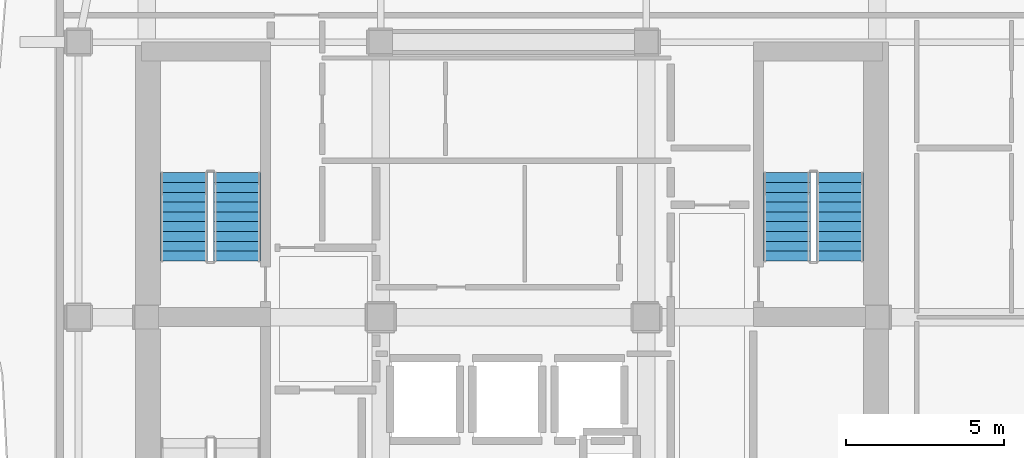
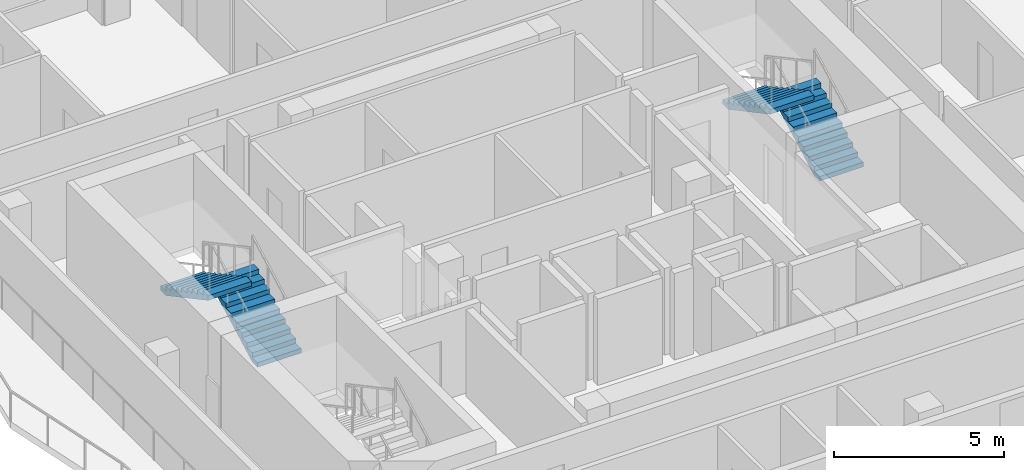
# One storey, part 6 of 9: 4 stair flights, 2 elements without a shape of their own.
"""IFC4 building model written with IfcOpenShell, lengths in metres."""

from ifc_helpers import new_model, si_unit, direction, frame, origin, place, context, subcontext, project, spatial, polyline, outline, extrude, material, type_object, element, aggregate, save


model = new_model("IFC4")

# Units and contexts
model_context = context("Model", 3, precision=1e-05, world=origin(), true_north=direction((0.0, 1.0)))
body_context = subcontext(model_context, "Body", "Model", "MODEL_VIEW")
ifc_project = project(units=[si_unit("LENGTHUNIT", "METRE"), si_unit("AREAUNIT", "SQUARE_METRE"), si_unit("VOLUMEUNIT", "CUBIC_METRE"), si_unit("PLANEANGLEUNIT", "RADIAN"), si_unit("MASSUNIT", "GRAM", prefix="KILO")], contexts=[model_context])

# Site, building, storey
site_placement = place(None, origin())
site = spatial("IfcSite", under=ifc_project, at=site_placement, CompositionType="ELEMENT")
building_placement = place(site_placement, origin())
building = spatial("IfcBuilding", under=site, at=building_placement, Name="Solanera Arch Residences", CompositionType="ELEMENT")
storey_placement = place(building_placement, frame((0.0, 0.0, 241.239990234375)))
storey = spatial("IfcBuildingStorey", under=building, at=storey_placement, Name="L70", CompositionType="ELEMENT", Elevation=241.239990234375)

# Stair, stair flights
ifc_material_1 = material(Name="Concrete C40/50 (f'c = 45 MPa)", Category="concrete")
stair_type = type_object("IfcStairType", Name="Tower Dogleg Exit Stair 1480", PredefinedType="HALF_TURN_STAIR", material=ifc_material_1)
stair_1_placement = place(storey_placement, origin())
stair_1 = element("IfcStair", 1, at=stair_1_placement, inside=storey, type_object=stair_type, Name="L70 Tower Core Exit Stair 1", PredefinedType="HALF_TURN_STAIR")
ifc_material_2 = material(Name="Concrete C40/50 (f'c = 45 MPa)", Category="concrete")
stair_flight_type = type_object("IfcStairFlightType", Name="Tower Precast Stair Flight 1480", PredefinedType="STRAIGHT", material=ifc_material_2)
stair_flight_1_placement = place(storey_placement, frame((16.260009765625, 32.47998046875, 0.0), z_axis=(0.0, 0.0, 1.0), x_axis=(0.0, 1.0, 0.0)))
stair_flight_1 = element("IfcStairFlight", 2, at=stair_flight_1_placement, type_object=stair_flight_type, Name="ST-T1 flight 1", NumberOfRisers=10, NumberOfTreads=9, PredefinedType="STRAIGHT", RiserHeight=0.166, TreadLength=0.31, context=body_context, shape_type="SweptSolid", body=[
    extrude(outline(polyline([(0.0, 0.0), (0.0, 0.166015625), (0.31005859375, 0.166015625), (0.31005859375, 0.33203125), (0.6201171875, 0.33203125), (0.6201171875, 0.498046875), (0.929931640625, 0.498046875), (0.929931640625, 0.6640625), (1.239990234375, 0.6640625), (1.239990234375, 0.830078125), (1.550048828125, 0.830078125), (1.550048828125, 0.99609375), (1.860107421875, 0.99609375), (1.860107421875, 1.162109375), (2.169921875, 1.162109375), (2.169921875, 1.327880859375), (2.47998046875, 1.327880859375), (2.47998046875, 1.493896484375), (2.7900390625, 1.493896484375), (2.7900390625, 1.659912109375), (2.7900390625, 1.323974609375), (0.317626953125, 0.0), (0.0, 0.0)])), frame((0.0, 0.739990234375, 0.0), z_axis=(0.0, -1.0, 0.0), x_axis=(1.0, 0.0, 0.0)), (0.0, 0.0, 1.0), 1.47998046875),
])
stair_flight_2_placement = place(storey_placement, frame((14.580078125, 35.27001953125, 1.659912109375), z_axis=(0.0, 0.0, 1.0), x_axis=(0.0, -1.0, 0.0)))
stair_flight_2 = element("IfcStairFlight", 3, at=stair_flight_2_placement, type_object=stair_flight_type, Name="ST-T1 flight 2", NumberOfRisers=10, NumberOfTreads=9, PredefinedType="STRAIGHT", RiserHeight=0.166, TreadLength=0.31, context=body_context, shape_type="SweptSolid", body=[
    extrude(outline(polyline([(0.0, 0.0), (0.0, 0.166015625), (0.31005859375, 0.166015625), (0.31005859375, 0.33203125), (0.6201171875, 0.33203125), (0.6201171875, 0.498046875), (0.929931640625, 0.498046875), (0.929931640625, 0.6640625), (1.239990234375, 0.6640625), (1.239990234375, 0.830078125), (1.550048828125, 0.830078125), (1.550048828125, 0.99609375), (1.860107421875, 0.99609375), (1.860107421875, 1.162109375), (2.169921875, 1.162109375), (2.169921875, 1.327880859375), (2.47998046875, 1.327880859375), (2.47998046875, 1.493896484375), (2.7900390625, 1.493896484375), (2.7900390625, 1.659912109375), (2.7900390625, 1.323974609375), (0.317626953125, 0.0), (0.0, 0.0)])), frame((0.0, 0.739990234375, 0.0), z_axis=(0.0, -1.0, 0.0), x_axis=(1.0, 0.0, 0.0)), (0.0, 0.0, 1.0), 1.47998046875),
])
aggregate(stair_1, [stair_flight_1, stair_flight_2])

stair_2_placement = place(storey_placement, origin())
stair_2 = element("IfcStair", 4, at=stair_2_placement, inside=storey, type_object=stair_type, Name="L70 Tower Core Exit Stair 2", PredefinedType="HALF_TURN_STAIR")
stair_flight_3_placement = place(storey_placement, frame((35.320068359375, 32.47998046875, 0.0), z_axis=(0.0, 0.0, 1.0), x_axis=(0.0, 1.0, 0.0)))
stair_flight_3 = element("IfcStairFlight", 5, at=stair_flight_3_placement, type_object=stair_flight_type, Name="ST-T2 flight 1", NumberOfRisers=10, NumberOfTreads=9, PredefinedType="STRAIGHT", RiserHeight=0.166, TreadLength=0.31, context=body_context, shape_type="SweptSolid", body=[
    extrude(outline(polyline([(0.0, 0.0), (0.0, 0.166015625), (0.31005859375, 0.166015625), (0.31005859375, 0.33203125), (0.6201171875, 0.33203125), (0.6201171875, 0.498046875), (0.929931640625, 0.498046875), (0.929931640625, 0.6640625), (1.239990234375, 0.6640625), (1.239990234375, 0.830078125), (1.550048828125, 0.830078125), (1.550048828125, 0.99609375), (1.860107421875, 0.99609375), (1.860107421875, 1.162109375), (2.169921875, 1.162109375), (2.169921875, 1.327880859375), (2.47998046875, 1.327880859375), (2.47998046875, 1.493896484375), (2.7900390625, 1.493896484375), (2.7900390625, 1.659912109375), (2.7900390625, 1.323974609375), (0.317626953125, 0.0), (0.0, 0.0)])), frame((0.0, 0.739990234375, 0.0), z_axis=(0.0, -1.0, 0.0), x_axis=(1.0, 0.0, 0.0)), (0.0, 0.0, 1.0), 1.47998046875),
])
stair_flight_4_placement = place(storey_placement, frame((33.639892578125, 35.27001953125, 1.659912109375), z_axis=(0.0, 0.0, 1.0), x_axis=(0.0, -1.0, 0.0)))
stair_flight_4 = element("IfcStairFlight", 6, at=stair_flight_4_placement, type_object=stair_flight_type, Name="ST-T2 flight 2", NumberOfRisers=10, NumberOfTreads=9, PredefinedType="STRAIGHT", RiserHeight=0.166, TreadLength=0.31, context=body_context, shape_type="SweptSolid", body=[
    extrude(outline(polyline([(0.0, 0.0), (0.0, 0.166015625), (0.31005859375, 0.166015625), (0.31005859375, 0.33203125), (0.6201171875, 0.33203125), (0.6201171875, 0.498046875), (0.929931640625, 0.498046875), (0.929931640625, 0.6640625), (1.239990234375, 0.6640625), (1.239990234375, 0.830078125), (1.550048828125, 0.830078125), (1.550048828125, 0.99609375), (1.860107421875, 0.99609375), (1.860107421875, 1.162109375), (2.169921875, 1.162109375), (2.169921875, 1.327880859375), (2.47998046875, 1.327880859375), (2.47998046875, 1.493896484375), (2.7900390625, 1.493896484375), (2.7900390625, 1.659912109375), (2.7900390625, 1.323974609375), (0.317626953125, 0.0), (0.0, 0.0)])), frame((0.0, 0.739990234375, 0.0), z_axis=(0.0, -1.0, 0.0), x_axis=(1.0, 0.0, 0.0)), (0.0, 0.0, 1.0), 1.47998046875),
])
aggregate(stair_2, [stair_flight_3, stair_flight_4])

save(model, "model.ifc")
